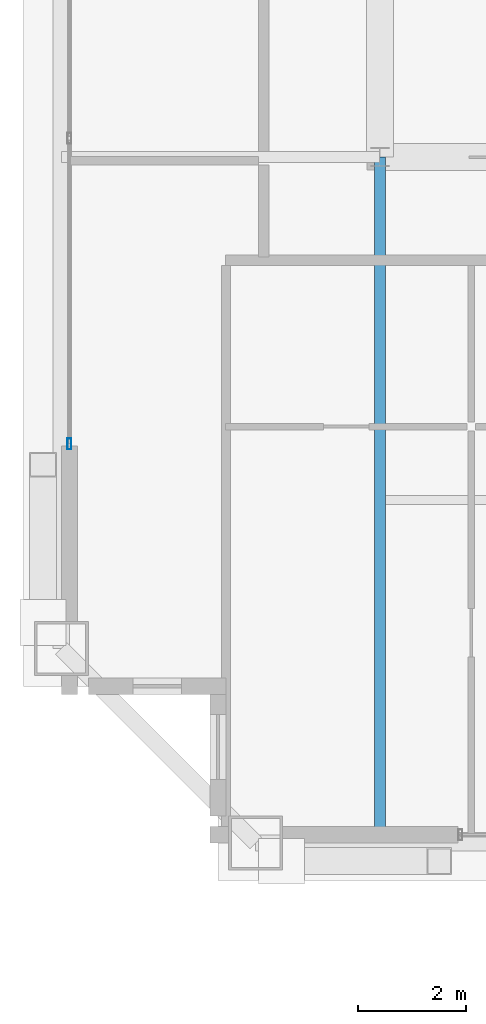
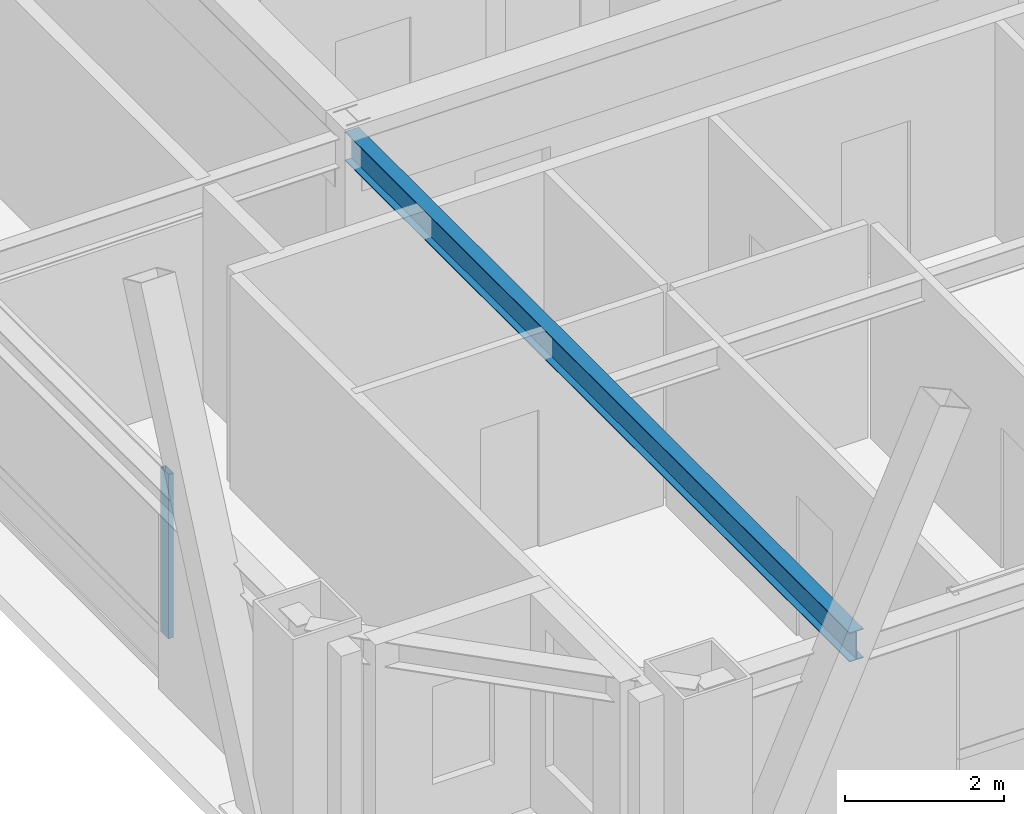
# One storey, part 6 of 34: 1 beam, 1 member, 1 element without a shape of its own.
"""IFC4 building model written with IfcOpenShell, lengths in metres."""

from ifc_helpers import new_model, si_unit, direction, frame, origin, origin_2d, place, context, subcontext, project, spatial, hollow_rectangle, i_section, extrude, source, transform, mapped, material, layer, layer_set, material_profile, profile_set, type_object, element, aggregate, save


model = new_model("IFC4")

# Units and contexts
model_context = context("Model", 3, precision=1e-05, world=origin(), true_north=direction((0.0, 1.0)))
body_context = subcontext(model_context, "Body", "Model", "MODEL_VIEW")
ifc_project = project(units=[si_unit("LENGTHUNIT", "METRE"), si_unit("AREAUNIT", "SQUARE_METRE"), si_unit("VOLUMEUNIT", "CUBIC_METRE"), si_unit("PLANEANGLEUNIT", "RADIAN"), si_unit("MASSUNIT", "GRAM", prefix="KILO"), si_unit("THERMODYNAMICTEMPERATUREUNIT", "KELVIN"), si_unit("POWERUNIT", "WATT")], contexts=[model_context])

# Site, building, storey
site_placement = place(None, origin())
site = spatial("IfcSite", under=ifc_project, at=site_placement, CompositionType="ELEMENT")
building_placement = place(site_placement, origin())
building = spatial("IfcBuilding", under=site, at=building_placement, Name="Yuzanri Waterfront Tower", CompositionType="ELEMENT")
storey_placement = place(building_placement, frame((0.0, 0.0, 328.699951171875)))
storey = spatial("IfcBuildingStorey", under=building, at=storey_placement, Name="L88", CompositionType="ELEMENT", Elevation=328.699951171875)

# Beam
ifc_material_1 = material(Name="Steel Q355B", Category="steel")
ifc_material_profile_1 = material_profile(ifc_material_1, i_section(OverallWidth=0.199951171875, OverallDepth=0.449951171875, WebThickness=0.009033203125, FlangeThickness=0.013916015625, at=origin_2d()), Name="HN 450x200x9x14")
ifc_profile_set_1 = profile_set([ifc_material_profile_1], Name="Steel Q355B")
beam_type = type_object("IfcBeamType", Name="Secondary Floor Beam Q355B HN 450x200", PredefinedType="BEAM", material=ifc_profile_set_1)
shared_shape_1 = source(origin(), body_context, "Body", "SweptSolid", [
    extrude(i_section(OverallWidth=0.199951171875, OverallDepth=0.449951171875, WebThickness=0.009033203125, FlangeThickness=0.013916015625, at=origin_2d()), origin(), (0.0, 0.0, 1.0), 12.699951171875),
])
beam_placement = place(storey_placement, frame((23.800048828125, 19.39990234375, 3.054931640625), z_axis=(0.0, -1.0, 0.0), x_axis=(1.0, 0.0, 0.0)))
element("IfcBeam", 1, at=beam_placement, inside=storey, type_object=beam_type, Name="L88 South-West Core Line Beam", PredefinedType="BEAM", context=body_context, shape_type="MappedRepresentation", body=[
    mapped(shared_shape_1, transform((0.0, 0.0, 0.0), scale=1.0)),
])

# Curtain wall, member
ifc_material_2 = material(Name="Anodized Architectural Bronze", Category="metal")
ifc_layer = layer(ifc_material_2, 0.159912109375)
ifc_layer_set = layer_set([ifc_layer], Name="Anodized Architectural Bronze")
curtain_wall_type = type_object("IfcCurtainWallType", Name="Anodized Bronze High-Rise Penthouse High-Wind Unitized Curtain Wall 6900", PredefinedType="NOTDEFINED", material=ifc_layer_set)
curtain_wall_placement = place(storey_placement, origin())
curtain_wall = element("IfcCurtainWall", 2, at=curtain_wall_placement, inside=storey, type_object=curtain_wall_type, Name="L88 Curtain Wall CW-L88-WL", PredefinedType="NOTDEFINED")
ifc_material_3 = material(Name="Anodized Architectural Bronze", Category="metal")
ifc_material_profile_2 = material_profile(ifc_material_3, hollow_rectangle(XDim=0.074951171875, YDim=0.199951171875, WallThickness=0.00390625, at=origin_2d()), Name="CWM 75x200")
ifc_profile_set_2 = profile_set([ifc_material_profile_2], Name="Anodized Architectural Bronze")
member_type = type_object("IfcMemberType", Name="Anodized Bronze Primary Curtain-Wall Mullion 75x200", PredefinedType="MULLION", material=ifc_profile_set_2)
shared_shape_2 = source(origin(), body_context, "Body", "SweptSolid", [
    extrude(hollow_rectangle(XDim=0.074951171875, YDim=0.199951171875, WallThickness=0.00390625, at=origin_2d()), origin(), (0.0, 0.0, 1.0), 2.52392578125),
])
member_placement = place(storey_placement, frame((18.050048828125, 14.090087890625, 0.756103515625), z_axis=(0.0, 0.0, 1.0), x_axis=(1.0, 0.0, 0.0)))
member = element("IfcMember", 3, at=member_placement, type_object=member_type, Name="CW-L88-WL Upper Mullion 00", PredefinedType="MULLION", context=body_context, shape_type="MappedRepresentation", body=[
    mapped(shared_shape_2, transform((0.0, 0.0, 0.0), scale=1.0)),
])
aggregate(curtain_wall, [member])

save(model, "model.ifc")
